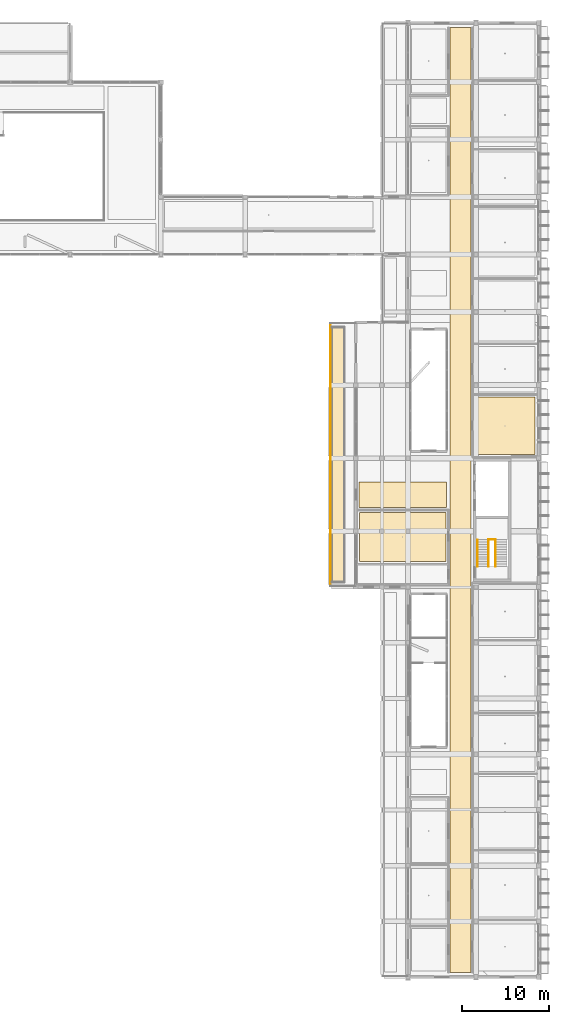
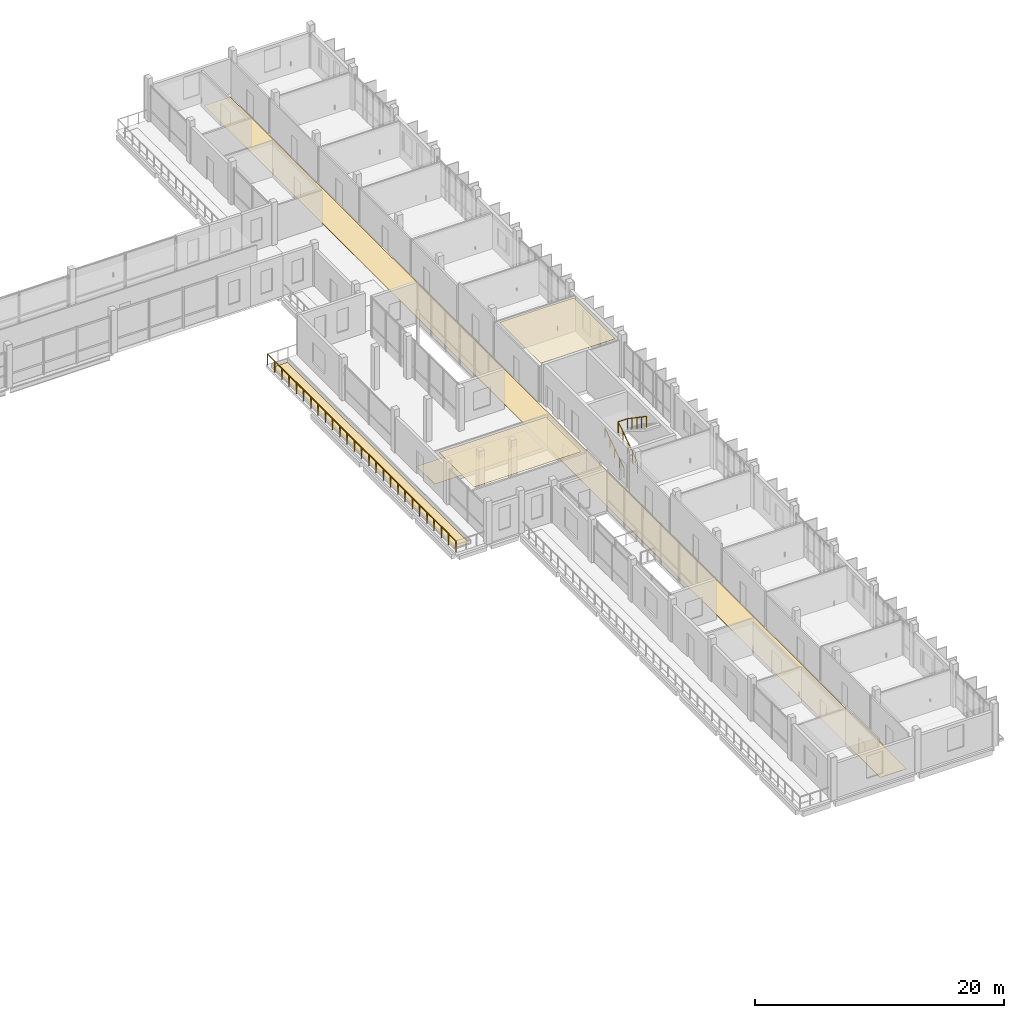
# One storey, part 83 of 85: 5 coverings, 3 railings.
"""IFC4 building model written with IfcOpenShell, lengths in metres."""

from ifc_helpers import new_model, si_unit, derived_unit, direction, frame, origin, origin_2d, place, context, subcontext, project, spatial, polyline, circle, outline, extrude, material, layer, layer_set, type_object, element, save


model = new_model("IFC4")

# Units and contexts
model_context = context("Model", 3, precision=1e-05, world=origin(), true_north=direction((0.0, 1.0)))
body_context = subcontext(model_context, "Body", "Model", "MODEL_VIEW")
ifc_project = project(units=[si_unit("LENGTHUNIT", "METRE"), si_unit("AREAUNIT", "SQUARE_METRE"), si_unit("VOLUMEUNIT", "CUBIC_METRE"), si_unit("PLANEANGLEUNIT", "RADIAN"), si_unit("MASSUNIT", "GRAM", prefix="KILO"), derived_unit("THERMALTRANSMITTANCEUNIT", [(si_unit("POWERUNIT", "WATT"), 1), (si_unit("LENGTHUNIT", "METRE"), -2), (si_unit("THERMODYNAMICTEMPERATUREUNIT", "KELVIN"), -1)])], contexts=[model_context])

# Site, building, storey
site_placement = place(None, origin())
site = spatial("IfcSite", under=ifc_project, at=site_placement, CompositionType="ELEMENT")
building_placement = place(site_placement, origin())
building = spatial("IfcBuilding", under=site, at=building_placement, Name="Braskholm Square Health Centre", CompositionType="ELEMENT")
storey_placement = place(building_placement, frame((0.0, 0.0, 9.300048828125)))
storey = spatial("IfcBuildingStorey", under=building, at=storey_placement, Name="L03", CompositionType="ELEMENT", Elevation=9.300048828125)

# Coverings
ifc_material_1 = material(Name="Fire-rated gypsum board barrier")
ifc_layer_1 = layer(ifc_material_1, 0.02490234375)
ifc_layer_set_1 = layer_set([ifc_layer_1], Name="Fire-rated gypsum board barrier")
covering_type_1 = type_object("IfcCoveringType", Name="AcousticClinicalCeilingTile", PredefinedType="CEILING", material=ifc_layer_set_1)
covering_1_placement = place(storey_placement, frame((0.0, 0.0, 3.48486328125)))
element("IfcCovering", 1, at=covering_1_placement, inside=storey, type_object=covering_type_1, Name="Acoustic ceiling L03-222", PredefinedType="CEILING", context=body_context, shape_type="SweptSolid", body=[
    extrude(outline(polyline([(156.5, 64.199951171875), (163.3798828125, 64.199951171875), (163.3798828125, 70.820068359375), (156.5, 70.820068359375), (156.5, 64.199951171875)])), origin(), (0.0, 0.0, 1.0), 0.025146484375),
])
covering_2_placement = place(storey_placement, frame((0.0, 0.0, 3.454833984375)))
element("IfcCovering", 2, at=covering_2_placement, inside=storey, type_object=covering_type_1, Name="Acoustic ceiling L03-239", PredefinedType="CEILING", context=body_context, shape_type="SweptSolid", body=[
    extrude(outline(polyline([(143.219970703125, 51.929931640625), (153.14990234375, 51.929931640625), (153.14990234375, 57.550048828125), (143.219970703125, 57.550048828125), (143.219970703125, 51.929931640625)])), origin(), (0.0, 0.0, 1.0), 0.025146484375),
])

# Railings
ifc_material_2 = material(Name="Dark patinated chevron architectural bronze", Category="aluminium")
railing_type_1 = type_object("IfcRailingType", Name="BronzeChevronGuardrail1100", PredefinedType="GUARDRAIL", material=ifc_material_2)
railing_1_placement = place(storey_placement, frame((158.030029296875, 51.360107421875, 0.0)))
element("IfcRailing", 3, at=railing_1_placement, inside=storey, type_object=railing_type_1, Name="Stair ST-04 inner well guardrail L03", PredefinedType="GUARDRAIL", context=body_context, shape_type="SweptSolid", body=[
    extrude(circle(Radius=0.02392578125, at=origin_2d()), frame((0.0, 0.0, 1.076171875), z_axis=(0.0, 0.826231499792, 0.563330727682), x_axis=(-1.0, 0.0, 0.0)), (0.0, 0.0, 1.0), 3.7275390625),
    extrude(circle(Radius=0.02392578125, at=origin_2d()), frame((0.0, 3.079833984375, 3.17578125), z_axis=(1.0, 0.0, 0.0), x_axis=(0.0, 1.0, 0.0)), (0.0, 0.0, 1.0), 0.840087890625),
    extrude(circle(Radius=0.02392578125, at=origin_2d()), frame((0.840087890625, 3.079833984375, 3.17578125), z_axis=(0.0, -0.826201015165, 0.563375436579), x_axis=(1.0, 0.0, 0.0)), (0.0, 0.0, 1.0), 3.727783203125),
    extrude(circle(Radius=0.02099609375, at=origin_2d()), origin(), (0.0, 0.0, 1.0), 1.052001953125),
    extrude(circle(Radius=0.02099609375, at=origin_2d()), frame((0.0, 0.77001953125, 0.52490234375)), (0.0, 0.0, 1.0), 1.052001953125),
    extrude(circle(Radius=0.02099609375, at=origin_2d()), frame((0.0, 1.5400390625, 1.0498046875)), (0.0, 0.0, 1.0), 1.052001953125),
    extrude(circle(Radius=0.02099609375, at=origin_2d()), frame((0.0, 2.309814453125, 1.574951171875)), (0.0, 0.0, 1.0), 1.052001953125),
    extrude(circle(Radius=0.02099609375, at=origin_2d()), frame((0.0, 3.079833984375, 2.099853515625)), (0.0, 0.0, 1.0), 1.052001953125),
    extrude(circle(Radius=0.02099609375, at=origin_2d()), frame((0.840087890625, 3.079833984375, 2.099853515625)), (0.0, 0.0, 1.0), 1.052001953125),
    extrude(circle(Radius=0.02099609375, at=origin_2d()), frame((0.840087890625, 2.309814453125, 2.625)), (0.0, 0.0, 1.0), 1.052001953125),
    extrude(circle(Radius=0.02099609375, at=origin_2d()), frame((0.840087890625, 1.5400390625, 3.14990234375)), (0.0, 0.0, 1.0), 1.052001953125),
    extrude(circle(Radius=0.02099609375, at=origin_2d()), frame((0.840087890625, 0.77001953125, 3.6748046875)), (0.0, 0.0, 1.0), 1.052001953125),
    extrude(circle(Radius=0.02099609375, at=origin_2d()), frame((0.840087890625, 0.0, 4.199951171875)), (0.0, 0.0, 1.0), 1.052001953125),
])
railing_2_placement = place(storey_placement, frame((139.89990234375, 49.10009765625, 0.0)))
element("IfcRailing", 4, at=railing_2_placement, inside=storey, type_object=railing_type_1, Name="Bronze chevron guardrail 0035 L03", PredefinedType="GUARDRAIL", context=body_context, shape_type="SweptSolid", body=[
    extrude(circle(Radius=0.02392578125, at=origin_2d()), frame((0.0, 0.0, 1.076171875), z_axis=(0.0, 1.0, 0.0), x_axis=(-1.0, 0.0, 0.0)), (0.0, 0.0, 1.0), 30.199951171875),
    extrude(circle(Radius=0.02099609375, at=origin_2d()), origin(), (0.0, 0.0, 1.0), 1.052001953125),
    extrude(circle(Radius=0.02099609375, at=origin_2d()), frame((0.0, 1.16162109375, 0.0)), (0.0, 0.0, 1.0), 1.052001953125),
    extrude(circle(Radius=0.02099609375, at=origin_2d()), frame((0.0, 2.322998046875, 0.0)), (0.0, 0.0, 1.0), 1.052001953125),
    extrude(circle(Radius=0.02099609375, at=origin_2d()), frame((0.0, 3.484619140625, 0.0)), (0.0, 0.0, 1.0), 1.052001953125),
    extrude(circle(Radius=0.02099609375, at=origin_2d()), frame((0.0, 4.646240234375, 0.0)), (0.0, 0.0, 1.0), 1.052001953125),
    extrude(circle(Radius=0.02099609375, at=origin_2d()), frame((0.0, 5.8076171875, 0.0)), (0.0, 0.0, 1.0), 1.052001953125),
    extrude(circle(Radius=0.02099609375, at=origin_2d()), frame((0.0, 6.96923828125, 0.0)), (0.0, 0.0, 1.0), 1.052001953125),
    extrude(circle(Radius=0.02099609375, at=origin_2d()), frame((0.0, 8.130859375, 0.0)), (0.0, 0.0, 1.0), 1.052001953125),
    extrude(circle(Radius=0.02099609375, at=origin_2d()), frame((0.0, 9.292236328125, 0.0)), (0.0, 0.0, 1.0), 1.052001953125),
    extrude(circle(Radius=0.02099609375, at=origin_2d()), frame((0.0, 10.453857421875, 0.0)), (0.0, 0.0, 1.0), 1.052001953125),
    extrude(circle(Radius=0.02099609375, at=origin_2d()), frame((0.0, 11.615478515625, 0.0)), (0.0, 0.0, 1.0), 1.052001953125),
    extrude(circle(Radius=0.02099609375, at=origin_2d()), frame((0.0, 12.77685546875, 0.0)), (0.0, 0.0, 1.0), 1.052001953125),
    extrude(circle(Radius=0.02099609375, at=origin_2d()), frame((0.0, 13.9384765625, 0.0)), (0.0, 0.0, 1.0), 1.052001953125),
    extrude(circle(Radius=0.02099609375, at=origin_2d()), frame((0.0, 15.10009765625, 0.0)), (0.0, 0.0, 1.0), 1.052001953125),
    extrude(circle(Radius=0.02099609375, at=origin_2d()), frame((0.0, 16.261474609375, 0.0)), (0.0, 0.0, 1.0), 1.052001953125),
    extrude(circle(Radius=0.02099609375, at=origin_2d()), frame((0.0, 17.423095703125, 0.0)), (0.0, 0.0, 1.0), 1.052001953125),
    extrude(circle(Radius=0.02099609375, at=origin_2d()), frame((0.0, 18.58447265625, 0.0)), (0.0, 0.0, 1.0), 1.052001953125),
    extrude(circle(Radius=0.02099609375, at=origin_2d()), frame((0.0, 19.74609375, 0.0)), (0.0, 0.0, 1.0), 1.052001953125),
    extrude(circle(Radius=0.02099609375, at=origin_2d()), frame((0.0, 20.90771484375, 0.0)), (0.0, 0.0, 1.0), 1.052001953125),
    extrude(circle(Radius=0.02099609375, at=origin_2d()), frame((0.0, 22.069091796875, 0.0)), (0.0, 0.0, 1.0), 1.052001953125),
    extrude(circle(Radius=0.02099609375, at=origin_2d()), frame((0.0, 23.230712890625, 0.0)), (0.0, 0.0, 1.0), 1.052001953125),
    extrude(circle(Radius=0.02099609375, at=origin_2d()), frame((0.0, 24.392333984375, 0.0)), (0.0, 0.0, 1.0), 1.052001953125),
    extrude(circle(Radius=0.02099609375, at=origin_2d()), frame((0.0, 25.5537109375, 0.0)), (0.0, 0.0, 1.0), 1.052001953125),
    extrude(circle(Radius=0.02099609375, at=origin_2d()), frame((0.0, 26.71533203125, 0.0)), (0.0, 0.0, 1.0), 1.052001953125),
    extrude(circle(Radius=0.02099609375, at=origin_2d()), frame((0.0, 27.876953125, 0.0)), (0.0, 0.0, 1.0), 1.052001953125),
    extrude(circle(Radius=0.02099609375, at=origin_2d()), frame((0.0, 29.038330078125, 0.0)), (0.0, 0.0, 1.0), 1.052001953125),
    extrude(circle(Radius=0.02099609375, at=origin_2d()), frame((0.0, 30.199951171875, 0.0)), (0.0, 0.0, 1.0), 1.052001953125),
])

# Coverings
ifc_material_3 = material(Name="Intensive botanical sedum and native prairie garden bed")
ifc_layer_2 = layer(ifc_material_3, 0.02490234375)
ifc_layer_set_2 = layer_set([ifc_layer_2], Name="Intensive botanical sedum and native prairie garden bed")
covering_type_2 = type_object("IfcCoveringType", Name="PlantedTerraceGardenBed", PredefinedType="ROOFING", material=ifc_layer_set_2)
covering_3_placement = place(storey_placement, origin())
element("IfcCovering", 5, at=covering_3_placement, inside=storey, type_object=covering_type_2, Name="Planted therapy terrace garden bed 0913", PredefinedType="ROOFING", context=body_context, shape_type="SweptSolid", body=[
    extrude(outline(polyline([(140.10009765625, 49.60009765625), (141.449951171875, 49.60009765625), (141.449951171875, 78.800048828125), (140.10009765625, 78.800048828125), (140.10009765625, 49.60009765625)])), origin(), (0.0, 0.0, 1.0), 0.02490234375),
])
ifc_material_4 = material(Name="Polished geometric terrazzo flooring", Category="masonry")
ifc_layer_3 = layer(ifc_material_4, 0.02001953125)
ifc_layer_set_3 = layer_set([ifc_layer_3], Name="Polished geometric terrazzo flooring")
covering_type_3 = type_object("IfcCoveringType", Name="PolishedTerrazzoFloorFinish", PredefinedType="FLOORING", material=ifc_layer_set_3)
covering_4_placement = place(storey_placement, origin())
element("IfcCovering", 6, at=covering_4_placement, inside=storey, type_object=covering_type_3, Name="Polished terrazzo floor L03-215", PredefinedType="FLOORING", context=body_context, shape_type="SweptSolid", body=[
    extrude(outline(polyline([(153.60009765625, 4.75), (156.050048828125, 4.75), (156.050048828125, 113.25), (153.60009765625, 113.25), (153.60009765625, 4.75)])), origin(), (0.0, 0.0, 1.0), 0.02001953125),
])
covering_5_placement = place(storey_placement, origin())
element("IfcCovering", 7, at=covering_5_placement, inside=storey, type_object=covering_type_3, Name="Polished terrazzo floor L03-232", PredefinedType="FLOORING", context=body_context, shape_type="SweptSolid", body=[
    extrude(outline(polyline([(143.169921875, 58.14990234375), (153.219970703125, 58.14990234375), (153.219970703125, 61.050048828125), (143.169921875, 61.050048828125), (143.169921875, 58.14990234375)])), origin(), (0.0, 0.0, 1.0), 0.02001953125),
])

# Railing
railing_type_2 = type_object("IfcRailingType", Name="StairTubularHandrail915", PredefinedType="HANDRAIL", material=ifc_material_2)
railing_3_placement = place(storey_placement, frame((156.800048828125, 51.360107421875, 0.0)))
element("IfcRailing", 8, at=railing_3_placement, inside=storey, type_object=railing_type_2, Name="Stair ST-04 wall handrail F1 L03", PredefinedType="HANDRAIL", context=body_context, shape_type="SweptSolid", body=[
    extrude(circle(Radius=0.02392578125, at=origin_2d()), frame((0.0, 0.0, 0.89111328125), z_axis=(0.0, 0.826231499792, 0.563330727682), x_axis=(-1.0, 0.0, 0.0)), (0.0, 0.0, 1.0), 3.7275390625),
    extrude(circle(Radius=0.02099609375, at=origin_2d()), origin(), (0.0, 0.0, 1.0), 0.866943359375),
    extrude(circle(Radius=0.02099609375, at=origin_2d()), frame((0.0, 0.77001953125, 0.52490234375)), (0.0, 0.0, 1.0), 0.866943359375),
    extrude(circle(Radius=0.02099609375, at=origin_2d()), frame((0.0, 1.5400390625, 1.0498046875)), (0.0, 0.0, 1.0), 0.866943359375),
    extrude(circle(Radius=0.02099609375, at=origin_2d()), frame((0.0, 2.309814453125, 1.574951171875)), (0.0, 0.0, 1.0), 0.866943359375),
    extrude(circle(Radius=0.02099609375, at=origin_2d()), frame((0.0, 3.079833984375, 2.099853515625)), (0.0, 0.0, 1.0), 0.866943359375),
])

save(model, "model.ifc")
